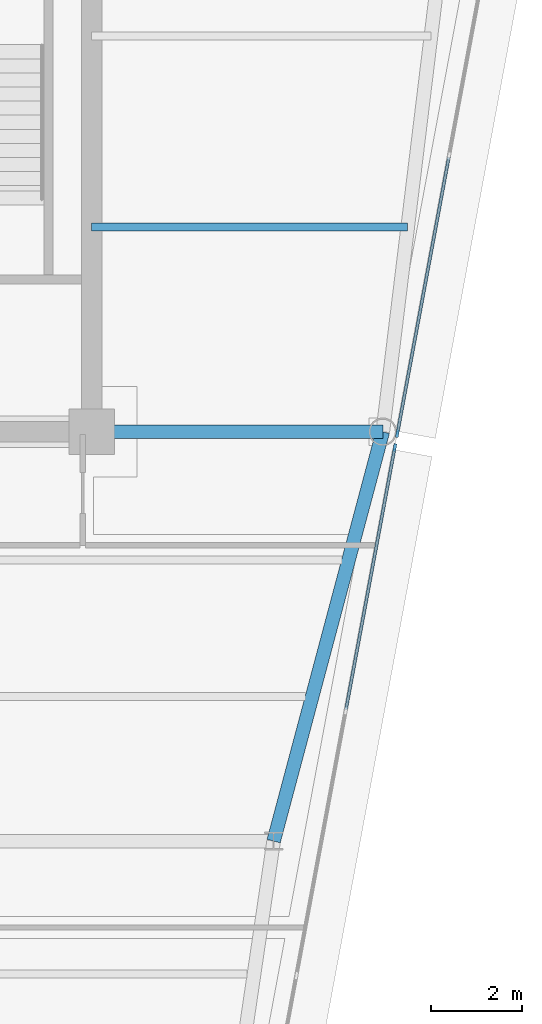
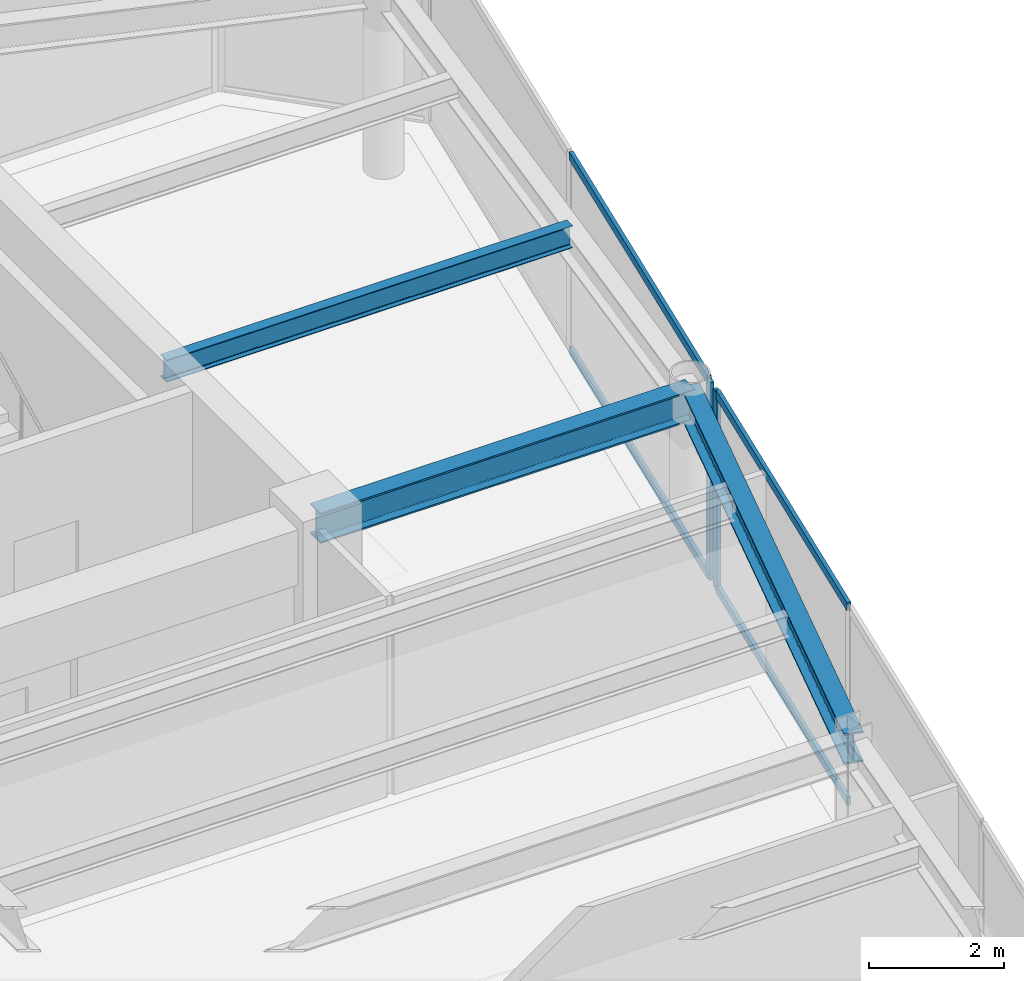
# One storey, part 6 of 18: 6 members, 3 beams, 2 elements without a shape of their own.
"""IFC4 building model written with IfcOpenShell, lengths in metres."""

from ifc_helpers import new_model, si_unit, direction, frame, origin, origin_2d, place, context, subcontext, project, spatial, rectangle, i_section, extrude, source, transform, mapped, material, layer, layer_set, material_profile, profile_set, type_object, element, aggregate, save


model = new_model("IFC4")

# Units and contexts
model_context = context("Model", 3, precision=1e-05, world=origin(), true_north=direction((0.0, 1.0)))
body_context = subcontext(model_context, "Body", "Model", "MODEL_VIEW")
ifc_project = project(units=[si_unit("LENGTHUNIT", "METRE"), si_unit("AREAUNIT", "SQUARE_METRE"), si_unit("VOLUMEUNIT", "CUBIC_METRE"), si_unit("PLANEANGLEUNIT", "RADIAN"), si_unit("MASSUNIT", "GRAM", prefix="KILO")], contexts=[model_context])

# Site, building, storey
site_placement = place(None, origin())
site = spatial("IfcSite", under=ifc_project, at=site_placement, CompositionType="ELEMENT")
building_placement = place(site_placement, origin())
building = spatial("IfcBuilding", under=site, at=building_placement, Name="Vaeldorn Concourse Tower", CompositionType="ELEMENT")
storey_placement = place(building_placement, frame((0.0, 0.0, 253.60009765625)))
storey = spatial("IfcBuildingStorey", under=building, at=storey_placement, Name="L65", CompositionType="ELEMENT", Elevation=253.60009765625)

# Beams
ifc_material_1 = material(Name="Steel S355", Category="steel")
ifc_material_profile_1 = material_profile(ifc_material_1, i_section(OverallWidth=0.179931640625, OverallDepth=0.39990234375, WebThickness=0.008544921875, FlangeThickness=0.013427734375, FilletRadius=0.02099609375, at=origin_2d()), Name="IPE 400")
ifc_profile_set_1 = profile_set([ifc_material_profile_1], Name="Steel S355")
beam_type_1 = type_object("IfcBeamType", Name="BM-JS-IPE400", PredefinedType="JOIST", material=ifc_profile_set_1)
shared_shape_1 = source(origin(), body_context, "Body", "SweptSolid", [
    extrude(i_section(OverallWidth=0.179931640625, OverallDepth=0.39990234375, WebThickness=0.008544921875, FlangeThickness=0.013427734375, FilletRadius=0.02099609375, at=origin_2d()), origin(), (0.0, 0.0, 1.0), 6.94775390625),
])
beam_1_placement = place(storey_placement, frame((54.0, 41.0, 3.3798828125), z_axis=(1.0, 0.0, 0.0), x_axis=(0.0, 1.0, 0.0)))
element("IfcBeam", 1, at=beam_1_placement, inside=storey, type_object=beam_type_1, Name="Beam JS-L65-NE-410", PredefinedType="JOIST", context=body_context, shape_type="MappedRepresentation", body=[
    mapped(shared_shape_1, transform((0.0, 0.0, 0.0), scale=1.0)),
])
ifc_material_profile_2 = material_profile(ifc_material_1, i_section(OverallWidth=0.300048828125, OverallDepth=0.550048828125, WebThickness=0.014892578125, FlangeThickness=0.029052734375, FilletRadius=0.027099609375, at=origin_2d()), Name="HEB 550")
ifc_profile_set_2 = profile_set([ifc_material_profile_2], Name="Steel S355")
beam_type_2 = type_object("IfcBeamType", Name="BM-PG-HEB550", PredefinedType="BEAM", material=ifc_profile_set_2)
shared_shape_2 = source(origin(), body_context, "Body", "SweptSolid", [
    extrude(i_section(OverallWidth=0.300048828125, OverallDepth=0.550048828125, WebThickness=0.014892578125, FlangeThickness=0.029052734375, FilletRadius=0.027099609375, at=origin_2d()), origin(), (0.0, 0.0, 1.0), 6.39990234375),
])
beam_2_placement = place(storey_placement, frame((54.0, 36.5, 3.304931640625), z_axis=(1.0, 0.0, 0.0), x_axis=(0.0, 1.0, 0.0)))
element("IfcBeam", 2, at=beam_2_placement, inside=storey, type_object=beam_type_2, Name="Beam BM-L65-C-FC6-C-NE2", PredefinedType="BEAM", context=body_context, shape_type="MappedRepresentation", body=[
    mapped(shared_shape_2, transform((0.0, 0.0, 0.0), scale=1.0)),
])
shared_shape_3 = source(origin(), body_context, "Body", "SweptSolid", [
    extrude(i_section(OverallWidth=0.300048828125, OverallDepth=0.550048828125, WebThickness=0.014892578125, FlangeThickness=0.029052734375, FilletRadius=0.027099609375, at=origin_2d()), origin(), (0.0, 0.0, 1.0), 9.314453125),
])
beam_3_placement = place(storey_placement, frame((60.39990234375, 36.5, 3.304931640625), z_axis=(-0.257652862255, -0.966237549763, 0.0), x_axis=(0.966237549763, -0.257652862255, 0.0)))
element("IfcBeam", 3, at=beam_3_placement, inside=storey, type_object=beam_type_2, Name="Beam BM-L65-C-NE2-C-FLE1", PredefinedType="BEAM", context=body_context, shape_type="MappedRepresentation", body=[
    mapped(shared_shape_3, transform((0.0, 0.0, 0.0), scale=1.0)),
])

# Curtain wall, member
ifc_material_2 = material(Name="Anodised Bronze Aluminium", Category="aluminium")
ifc_layer = layer(ifc_material_2, 0.179931640625)
ifc_layer_set = layer_set([ifc_layer], Name="Anodised Bronze Aluminium")
curtain_wall_type = type_object("IfcCurtainWallType", Name="CW-SYS-05", PredefinedType="NOTDEFINED", material=ifc_layer_set)
curtain_wall_1_placement = place(storey_placement, origin())
curtain_wall_1 = element("IfcCurtainWall", 4, at=curtain_wall_1_placement, inside=storey, type_object=curtain_wall_type, Name="Unitised Curtain Wall CW-L65-E07-1", PredefinedType="NOTDEFINED")
ifc_material_profile_3 = material_profile(ifc_material_2, rectangle(XDim=0.06494140625, YDim=0.169921875, at=origin_2d()), Name="CWM 65x170")
ifc_profile_set_3 = profile_set([ifc_material_profile_3], Name="Anodised Bronze Aluminium")
member_type_1 = type_object("IfcMemberType", Name="CWM-BRONZE-170", PredefinedType="MULLION", material=ifc_profile_set_3)
shared_shape_4 = source(origin(), body_context, "Body", "SweptSolid", [
    extrude(rectangle(XDim=0.06494140625, YDim=0.169921875, at=origin_2d()), origin(), (0.0, 0.0, 1.0), 3.579833984375),
])
member_1_placement = place(storey_placement, frame((60.663818359375, 36.153076171875, 0.0), z_axis=(0.0, 0.0, 1.0), x_axis=(-0.983102653673, 0.18305510739, 0.0)))
member_1 = element("IfcMember", 5, at=member_1_placement, type_object=member_type_1, Name="CW-05 mullion 5", PredefinedType="MULLION", context=body_context, shape_type="MappedRepresentation", body=[
    mapped(shared_shape_4, transform((0.0, 0.0, 0.0), scale=1.0)),
])

curtain_wall_2_placement = place(storey_placement, origin())
curtain_wall_2 = element("IfcCurtainWall", 6, at=curtain_wall_2_placement, inside=storey, type_object=curtain_wall_type, Name="Unitised Curtain Wall CW-L65-E07-2", PredefinedType="NOTDEFINED")
member_2_placement = place(storey_placement, frame((60.720947265625, 36.460205078125, 0.0), z_axis=(0.0, 0.0, 1.0), x_axis=(-0.983102768025, 0.183054493257, 0.0)))
member_2 = element("IfcMember", 7, at=member_2_placement, type_object=member_type_1, Name="CW-05 mullion 1", PredefinedType="MULLION", context=body_context, shape_type="MappedRepresentation", body=[
    mapped(shared_shape_4, transform((0.0, 0.0, 0.0), scale=1.0)),
])

# Member
ifc_material_profile_4 = material_profile(ifc_material_2, rectangle(XDim=0.06494140625, YDim=0.14990234375, at=origin_2d()), Name="CWT 65x150")
ifc_profile_set_4 = profile_set([ifc_material_profile_4], Name="Anodised Bronze Aluminium")
member_type_2 = type_object("IfcMemberType", Name="CWT-BRONZE-150", PredefinedType="USERDEFINED", material=ifc_profile_set_4)
shared_shape_5 = source(origin(), body_context, "Body", "SweptSolid", [
    extrude(rectangle(XDim=0.06494140625, YDim=0.14990234375, at=origin_2d()), origin(), (0.0, 0.0, 1.0), 5.82373046875),
])
member_3_placement = place(storey_placement, frame((59.591796875, 30.395751953125, 0.032470703125), z_axis=(0.183030414843, 0.983107251139, 0.0), x_axis=(-0.983107251139, 0.183030414843, 0.0)))
member_3 = element("IfcMember", 8, at=member_3_placement, type_object=member_type_2, Name="CW-05 transom 4.1", ObjectType="TRANSOM", PredefinedType="USERDEFINED", context=body_context, shape_type="MappedRepresentation", body=[
    mapped(shared_shape_5, transform((0.0, 0.0, 0.0), scale=1.0)),
])

member_4_placement = place(storey_placement, frame((59.591796875, 30.395751953125, 3.54736328125), z_axis=(0.183030414843, 0.983107251139, 0.0), x_axis=(-0.983107251139, 0.183030414843, 0.0)))
member_4 = element("IfcMember", 9, at=member_4_placement, type_object=member_type_2, Name="CW-05 transom 4.2", ObjectType="TRANSOM", PredefinedType="USERDEFINED", context=body_context, shape_type="MappedRepresentation", body=[
    mapped(shared_shape_5, transform((0.0, 0.0, 0.0), scale=1.0)),
])

aggregate(curtain_wall_1, [member_1, member_3, member_4])

shared_shape_6 = source(origin(), body_context, "Body", "SweptSolid", [
    extrude(rectangle(XDim=0.06494140625, YDim=0.14990234375, at=origin_2d()), origin(), (0.0, 0.0, 1.0), 6.143798828125),
])
member_5_placement = place(storey_placement, frame((60.726806640625, 36.4921875, 0.032470703125), z_axis=(0.183069583935, 0.983099958009, 0.0), x_axis=(-0.983099958009, 0.183069583935, 0.0)))
member_5 = element("IfcMember", 10, at=member_5_placement, type_object=member_type_2, Name="CW-05 transom 1.1", ObjectType="TRANSOM", PredefinedType="USERDEFINED", context=body_context, shape_type="MappedRepresentation", body=[
    mapped(shared_shape_6, transform((0.0, 0.0, 0.0), scale=1.0)),
])

member_6_placement = place(storey_placement, frame((60.726806640625, 36.4921875, 3.54736328125), z_axis=(0.183069583935, 0.983099958009, 0.0), x_axis=(-0.983099958009, 0.183069583935, 0.0)))
member_6 = element("IfcMember", 11, at=member_6_placement, type_object=member_type_2, Name="CW-05 transom 1.2", ObjectType="TRANSOM", PredefinedType="USERDEFINED", context=body_context, shape_type="MappedRepresentation", body=[
    mapped(shared_shape_6, transform((0.0, 0.0, 0.0), scale=1.0)),
])

aggregate(curtain_wall_2, [member_2, member_5, member_6])

save(model, "model.ifc")
